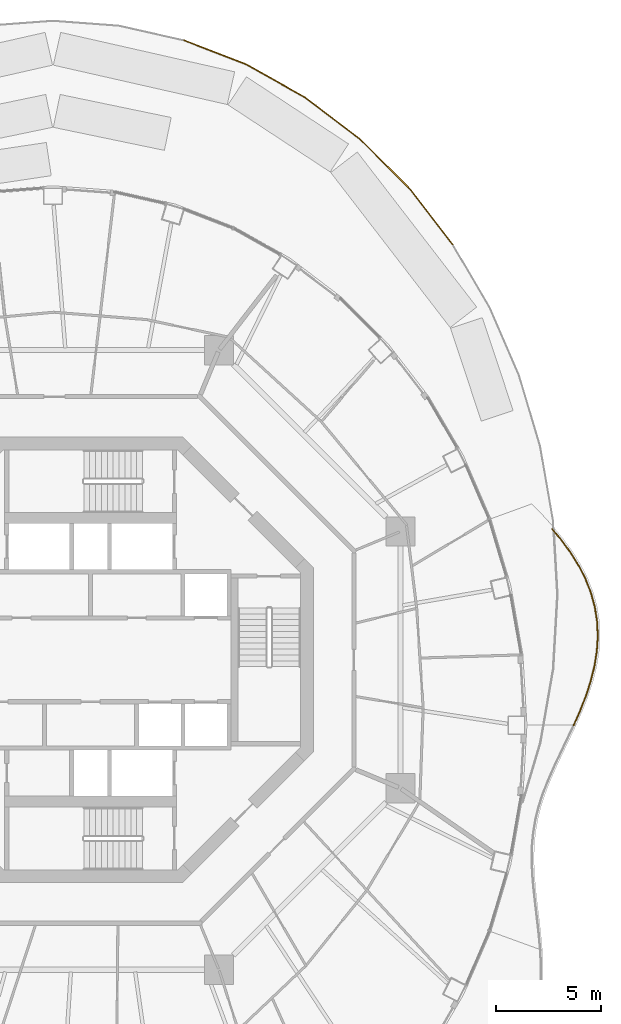
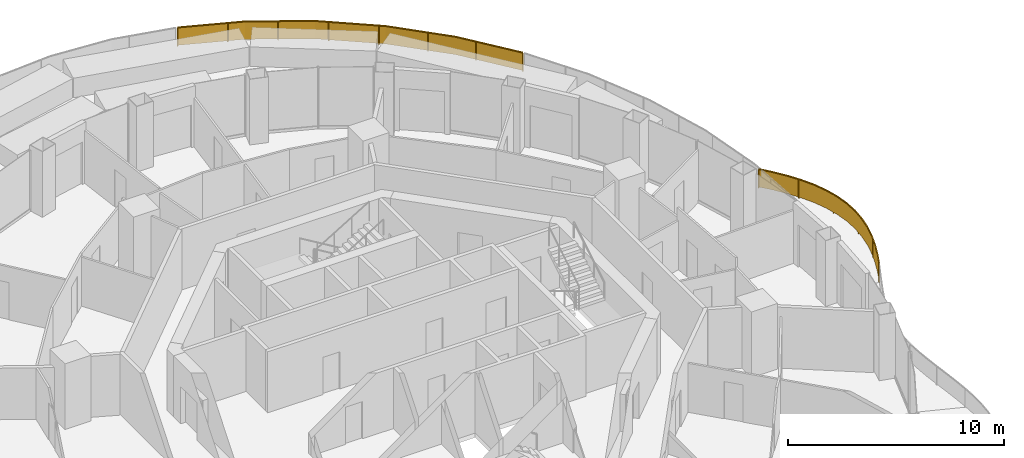
# One storey, part 17 of 17: 2 railings.
"""IFC4 building model written with IfcOpenShell, lengths in metres."""

from ifc_helpers import new_model, si_unit, direction, frame, origin, origin_2d, place, context, subcontext, project, spatial, polyline, rectangle, outline, extrude, material, type_object, element, save


model = new_model("IFC4")

# Units and contexts
model_context = context("Model", 3, precision=1e-05, world=origin(), true_north=direction((0.0, 1.0)))
body_context = subcontext(model_context, "Body", "Model", "MODEL_VIEW")
ifc_project = project(units=[si_unit("LENGTHUNIT", "METRE"), si_unit("AREAUNIT", "SQUARE_METRE"), si_unit("VOLUMEUNIT", "CUBIC_METRE"), si_unit("PLANEANGLEUNIT", "RADIAN"), si_unit("MASSUNIT", "GRAM", prefix="KILO")], contexts=[model_context])

# Site, building, storey
site_placement = place(None, origin())
site = spatial("IfcSite", under=ifc_project, at=site_placement, CompositionType="ELEMENT")
building_placement = place(site_placement, origin())
building = spatial("IfcBuilding", under=site, at=building_placement, Name="Nagisa Residences", CompositionType="ELEMENT")
storey_placement = place(building_placement, frame((0.0, 0.0, 258.5)))
storey = spatial("IfcBuildingStorey", under=building, at=storey_placement, Name="L65", CompositionType="ELEMENT", Elevation=258.5)

# Railings
ifc_material_1 = material(Name="Stainless steel 316", Category="steel")
railing_type_1 = type_object("IfcRailingType", Name="BALCONY GUARD 1100", PredefinedType="BALUSTRADE", material=ifc_material_1)
railing_1_placement = place(storey_placement, frame((23.050048828125, -3.11767578125, 0.0)))
element("IfcRailing", 1, at=railing_1_placement, inside=storey, type_object=railing_type_1, Name="guard:L65:bal00-0", PredefinedType="BALUSTRADE", context=body_context, shape_type="SweptSolid", body=[
    extrude(outline(polyline([(0.27880859375, 0.68798828125), (-0.02294921875, 0.01025390625), (0.02294921875, -0.01025390625), (0.3251953125, 0.66845703125), (0.59912109375, 1.3671875), (0.83203125, 2.076904296875), (1.011474609375, 2.7939453125), (1.1279296875, 3.515380859375), (1.174560546875, 4.22265625), (1.142822265625, 4.9384765625), (1.0322265625, 5.644287109375), (0.843017578125, 6.3349609375), (0.57861328125, 7.00732421875), (0.248779296875, 7.644287109375), (-0.144775390625, 8.27099609375), (-0.588134765625, 8.873046875), (-1.007568359375, 9.376953125), (-1.046142578125, 9.3447265625), (-0.627685546875, 8.84228515625), (-0.186279296875, 8.24267578125), (0.205322265625, 7.619384765625), (0.533203125, 6.98681640625), (0.795654296875, 6.3193359375), (0.9833984375, 5.633544921875), (1.093017578125, 4.93359375), (1.124267578125, 4.22314453125), (1.078125, 3.521240234375), (0.962646484375, 2.80419921875), (0.78369140625, 2.090576171875), (0.55224609375, 1.38427734375), (0.27880859375, 0.68798828125)])), frame((0.0, 0.0, 1.050048828125)), (0.0, 0.0, 1.0), 0.050048828125),
    extrude(outline(polyline([(0.295654296875, 0.680908203125), (-0.00634765625, 0.0029296875), (0.00634765625, -0.0029296875), (0.308349609375, 0.675537109375), (0.582275390625, 1.373291015625), (0.814697265625, 2.081787109375), (0.993896484375, 2.797607421875), (1.110107421875, 3.517578125), (1.156494140625, 4.222900390625), (1.125, 4.936767578125), (1.0146484375, 5.640380859375), (0.825927734375, 6.329345703125), (0.562255859375, 7.0), (0.233154296875, 7.63525390625), (-0.15966796875, 8.2607421875), (-0.602294921875, 8.862060546875), (-1.021484375, 9.365234375), (-1.0322265625, 9.3564453125), (-0.613525390625, 8.853271484375), (-0.17138671875, 8.2529296875), (0.220947265625, 7.62841796875), (0.549560546875, 6.994140625), (0.812744140625, 6.324951171875), (1.0009765625, 5.637451171875), (1.11083984375, 4.935302734375), (1.142333984375, 4.222900390625), (1.095947265625, 3.51904296875), (0.980224609375, 2.800537109375), (0.801025390625, 2.085693359375), (0.569091796875, 1.378173828125), (0.295654296875, 0.680908203125)])), frame((0.0, 0.0, 0.06005859375)), (0.0, 0.0, 1.0), 0.989990234375),
    extrude(rectangle(XDim=0.0400390625, YDim=0.0400390625, at=origin_2d()), origin(), (0.0, 0.0, 1.0), 1.050048828125),
    extrude(rectangle(XDim=0.0400390625, YDim=0.0400390625, at=origin_2d()), frame((0.74169921875, 1.8818359375, 0.0)), (0.0, 0.0, 1.0), 1.050048828125),
    extrude(rectangle(XDim=0.0400390625, YDim=0.0400390625, at=origin_2d()), frame((1.125732421875, 3.86328125, 0.0)), (0.0, 0.0, 1.0), 1.050048828125),
    extrude(rectangle(XDim=0.0400390625, YDim=0.0400390625, at=origin_2d()), frame((0.94482421875, 5.869140625, 0.0)), (0.0, 0.0, 1.0), 1.050048828125),
    extrude(rectangle(XDim=0.0400390625, YDim=0.0400390625, at=origin_2d()), frame((0.166015625, 7.72900390625, 0.0)), (0.0, 0.0, 1.0), 1.050048828125),
    extrude(rectangle(XDim=0.0400390625, YDim=0.0400390625, at=origin_2d()), frame((-1.02685546875, 9.36083984375, 0.0)), (0.0, 0.0, 1.0), 1.050048828125),
])
ifc_material_2 = material(Name="Stainless steel 316", Category="steel")
railing_type_2 = type_object("IfcRailingType", Name="ROOF GUARD 1100", PredefinedType="GUARDRAIL", material=ifc_material_2)
railing_2_placement = place(storey_placement, frame((17.271484375, 19.8232421875, 0.0)))
element("IfcRailing", 2, at=railing_2_placement, inside=storey, type_object=railing_type_2, Name="guard:L65:garden01", PredefinedType="GUARDRAIL", context=body_context, shape_type="SweptSolid", body=[
    extrude(outline(polyline([(-2.0703125, 2.6455078125), (-0.019775390625, -0.015380859375), (0.019775390625, 0.015380859375), (-2.03271484375, 2.6787109375), (-4.402099609375, 5.043212890625), (-7.022705078125, 7.035888671875), (-9.849609375, 8.622314453125), (-12.79541015625, 9.76025390625), (-12.8134765625, 9.71337890625), (-9.87109375, 8.576904296875), (-7.050048828125, 6.993896484375), (-4.435302734375, 5.005615234375), (-2.0703125, 2.6455078125)])), frame((0.0, 0.0, 1.050048828125)), (0.0, 0.0, 1.0), 0.050048828125),
    extrude(outline(polyline([(-2.056884765625, 2.657470703125), (-0.005615234375, -0.00439453125), (0.005615234375, 0.00439453125), (-2.046142578125, 2.666748046875), (-4.4140625, 5.02978515625), (-7.032470703125, 7.020751953125), (-9.857421875, 8.60595703125), (-12.802001953125, 9.743408203125), (-12.806884765625, 9.730224609375), (-9.86328125, 8.59326171875), (-7.040283203125, 7.009033203125), (-4.42333984375, 5.01904296875), (-2.056884765625, 2.657470703125)])), frame((0.0, 0.0, 0.06005859375)), (0.0, 0.0, 1.0), 0.989990234375),
    extrude(rectangle(XDim=0.0400390625, YDim=0.0400390625, at=origin_2d()), origin(), (0.0, 0.0, 1.0), 1.050048828125),
    extrude(rectangle(XDim=0.0400390625, YDim=0.0400390625, at=origin_2d()), frame((-1.428955078125, 1.8544921875, 0.0)), (0.0, 0.0, 1.0), 1.050048828125),
    extrude(rectangle(XDim=0.0400390625, YDim=0.0400390625, at=origin_2d()), frame((-2.98681640625, 3.595458984375, 0.0)), (0.0, 0.0, 1.0), 1.050048828125),
    extrude(rectangle(XDim=0.0400390625, YDim=0.0400390625, at=origin_2d()), frame((-4.672119140625, 5.217041015625, 0.0)), (0.0, 0.0, 1.0), 1.050048828125),
    extrude(rectangle(XDim=0.0400390625, YDim=0.0400390625, at=origin_2d()), frame((-6.53564453125, 6.634033203125, 0.0)), (0.0, 0.0, 1.0), 1.050048828125),
    extrude(rectangle(XDim=0.0400390625, YDim=0.0400390625, at=origin_2d()), frame((-8.529296875, 7.852783203125, 0.0)), (0.0, 0.0, 1.0), 1.050048828125),
    extrude(rectangle(XDim=0.0400390625, YDim=0.0400390625, at=origin_2d()), frame((-10.62060546875, 8.893310546875, 0.0)), (0.0, 0.0, 1.0), 1.050048828125),
    extrude(rectangle(XDim=0.0400390625, YDim=0.0400390625, at=origin_2d()), frame((-12.804443359375, 9.73681640625, 0.0)), (0.0, 0.0, 1.0), 1.050048828125),
])

save(model, "model.ifc")
